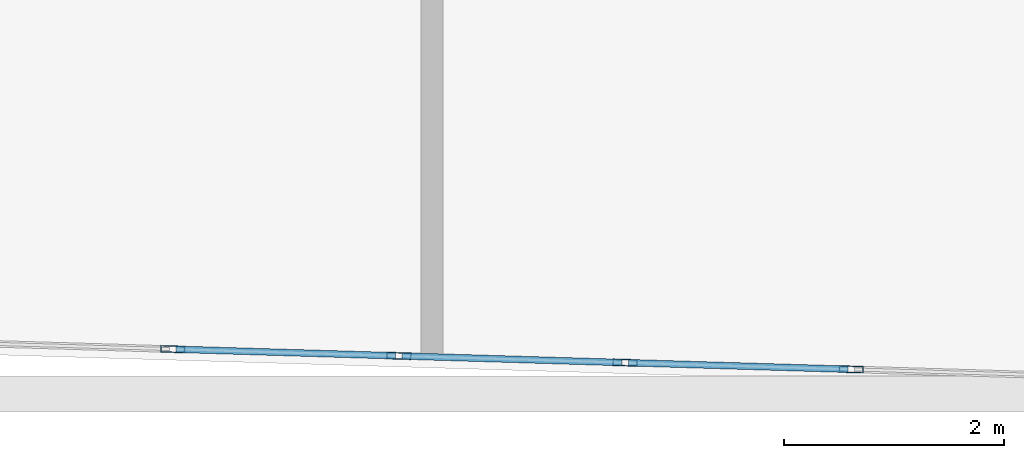
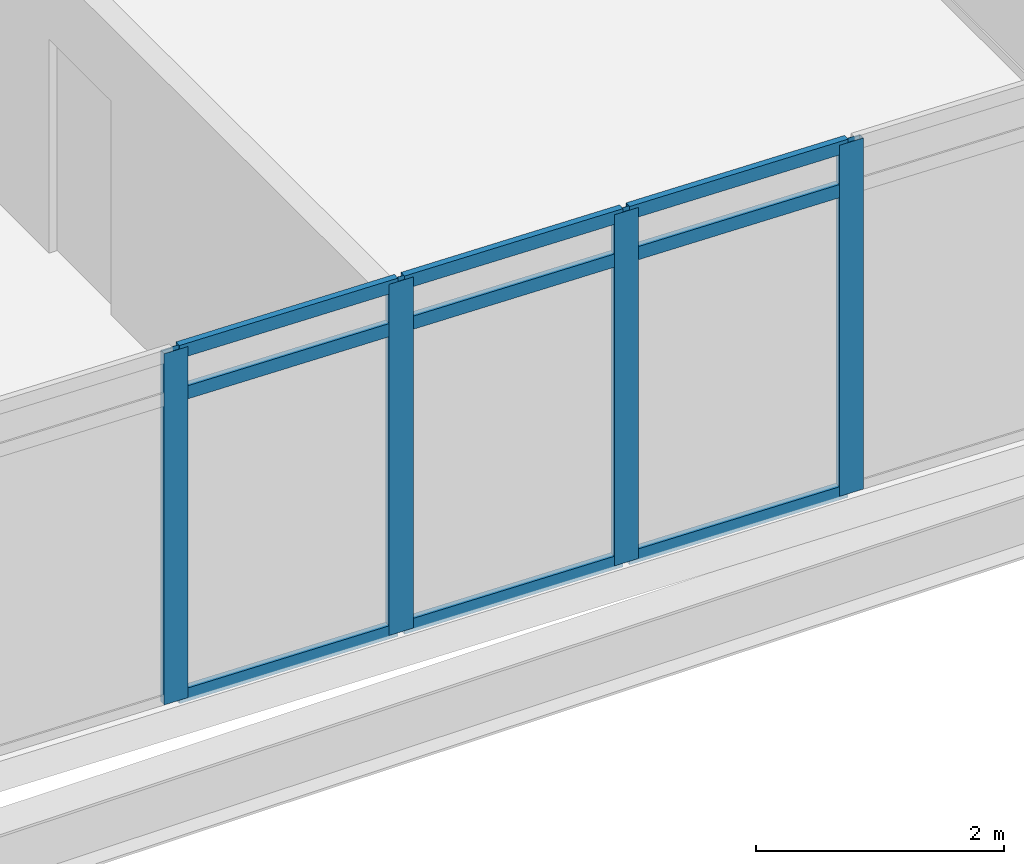
# One storey, part 7 of 28: 13 members, 1 element without a shape of its own.
"""IFC4 building model written with IfcOpenShell, lengths in metres."""

from ifc_helpers import new_model, si_unit, direction, frame, origin, origin_2d, place, context, subcontext, project, spatial, hollow_rectangle, extrude, material, material_profile, profile_set, type_object, element, aggregate, save


model = new_model("IFC4")

# Units and contexts
model_context = context("Model", 3, precision=1e-05, world=origin(), true_north=direction((0.0, 1.0)))
body_context = subcontext(model_context, "Body", "Model", "MODEL_VIEW")
ifc_project = project(units=[si_unit("LENGTHUNIT", "METRE"), si_unit("AREAUNIT", "SQUARE_METRE"), si_unit("VOLUMEUNIT", "CUBIC_METRE"), si_unit("PLANEANGLEUNIT", "RADIAN"), si_unit("MASSUNIT", "GRAM", prefix="KILO")], contexts=[model_context])

# Site, building, storey
site_placement = place(None, origin())
site = spatial("IfcSite", under=ifc_project, at=site_placement, CompositionType="ELEMENT")
building_placement = place(site_placement, origin())
building = spatial("IfcBuilding", under=site, at=building_placement, Name="Ostrander Bayou Hotel Tower", CompositionType="ELEMENT")
storey_placement = place(building_placement, frame((0.0, 0.0, 104.25)))
storey = spatial("IfcBuildingStorey", under=building, at=storey_placement, Name="L26", CompositionType="ELEMENT", Elevation=104.25)

# Curtain wall, members
ifc_material_1 = material(Name="Aluminium and clear glass", Category="aluminium")
curtain_wall_type = type_object("IfcCurtainWallType", Name="CW-BAR glazed wall", PredefinedType="NOTDEFINED", material=ifc_material_1)
curtain_wall_placement = place(storey_placement, origin())
curtain_wall = element("IfcCurtainWall", 1, at=curtain_wall_placement, inside=storey, type_object=curtain_wall_type, Name="CW-BAR L26:SB2S:T", PredefinedType="NOTDEFINED")
ifc_material_2 = material(Name="Aluminium", Category="aluminium")
ifc_material_profile_1 = material_profile(ifc_material_2, hollow_rectangle(XDim=0.06005859375, YDim=0.219970703125, WallThickness=0.00390625, at=origin_2d()))
ifc_profile_set_1 = profile_set([ifc_material_profile_1], Name="Aluminium")
member_type_1 = type_object("IfcMemberType", Name="CW-BR mullion 60 x 220 mm", PredefinedType="MULLION", material=ifc_profile_set_1)
member_1_placement = place(storey_placement, frame((3.084716796875, -31.791748046875, 0.0), z_axis=(0.0, 0.0, 1.0), x_axis=(0.029746242041, 0.999557482631, 0.0)))
member_1 = element("IfcMember", 2, at=member_1_placement, type_object=member_type_1, Name="CW-BAR mullion 9", PredefinedType="MULLION", context=body_context, shape_type="SweptSolid", body=[
    extrude(hollow_rectangle(XDim=0.06005859375, YDim=0.219970703125, WallThickness=0.00390625, at=origin_2d()), origin(), (0.0, 0.0, 1.0), 3.449951171875),
])
member_2_placement = place(storey_placement, frame((5.14111328125, -31.85302734375, 0.0), z_axis=(0.0, 0.0, 1.0), x_axis=(0.029746242041, 0.999557482631, 0.0)))
member_2 = element("IfcMember", 3, at=member_2_placement, type_object=member_type_1, Name="CW-BAR mullion 10", PredefinedType="MULLION", context=body_context, shape_type="SweptSolid", body=[
    extrude(hollow_rectangle(XDim=0.06005859375, YDim=0.219970703125, WallThickness=0.00390625, at=origin_2d()), origin(), (0.0, 0.0, 1.0), 3.449951171875),
])
member_3_placement = place(storey_placement, frame((7.19775390625, -31.914306640625, 0.0), z_axis=(0.0, 0.0, 1.0), x_axis=(0.029746242041, 0.999557482631, 0.0)))
member_3 = element("IfcMember", 4, at=member_3_placement, type_object=member_type_1, Name="CW-BAR mullion 11", PredefinedType="MULLION", context=body_context, shape_type="SweptSolid", body=[
    extrude(hollow_rectangle(XDim=0.06005859375, YDim=0.219970703125, WallThickness=0.00390625, at=origin_2d()), origin(), (0.0, 0.0, 1.0), 3.449951171875),
])
member_4_placement = place(storey_placement, frame((9.254150390625, -31.975341796875, 0.0), z_axis=(0.0, 0.0, 1.0), x_axis=(0.029746242041, 0.999557482631, 0.0)))
member_4 = element("IfcMember", 5, at=member_4_placement, type_object=member_type_1, Name="CW-BAR mullion 12", PredefinedType="MULLION", context=body_context, shape_type="SweptSolid", body=[
    extrude(hollow_rectangle(XDim=0.06005859375, YDim=0.219970703125, WallThickness=0.00390625, at=origin_2d()), origin(), (0.0, 0.0, 1.0), 3.449951171875),
])
ifc_material_3 = material(Name="Aluminium", Category="aluminium")
ifc_material_profile_2 = material_profile(ifc_material_3, hollow_rectangle(XDim=0.06005859375, YDim=0.1298828125, WallThickness=0.00390625, at=origin_2d()))
ifc_profile_set_2 = profile_set([ifc_material_profile_2], Name="Aluminium")
member_type_2 = type_object("IfcMemberType", Name="CW-BR transom 60 x 130 mm", PredefinedType="USERDEFINED", material=ifc_profile_set_2)
member_5_placement = place(storey_placement, frame((3.11474609375, -31.792724609375, 0.030029296875), z_axis=(0.999558835181, -0.029700757758, 0.0), x_axis=(0.029700757758, 0.999558835181, 0.0)))
member_5 = element("IfcMember", 6, at=member_5_placement, type_object=member_type_2, Name="CW-BAR transom 9.1", ObjectType="TRANSOM", PredefinedType="USERDEFINED", context=body_context, shape_type="SweptSolid", body=[
    extrude(hollow_rectangle(XDim=0.06005859375, YDim=0.1298828125, WallThickness=0.00390625, at=origin_2d()), origin(), (0.0, 0.0, 1.0), 1.99755859375),
])
member_6_placement = place(storey_placement, frame((3.11474609375, -31.792724609375, 3.0), z_axis=(0.999558835181, -0.029700757758, 0.0), x_axis=(0.029700757758, 0.999558835181, 0.0)))
member_6 = element("IfcMember", 7, at=member_6_placement, type_object=member_type_2, Name="CW-BAR transom 9.2", ObjectType="TRANSOM", PredefinedType="USERDEFINED", context=body_context, shape_type="SweptSolid", body=[
    extrude(hollow_rectangle(XDim=0.06005859375, YDim=0.1298828125, WallThickness=0.00390625, at=origin_2d()), origin(), (0.0, 0.0, 1.0), 1.99755859375),
])
member_7_placement = place(storey_placement, frame((3.11474609375, -31.792724609375, 3.419921875), z_axis=(0.999558835181, -0.029700757758, 0.0), x_axis=(0.029700757758, 0.999558835181, 0.0)))
member_7 = element("IfcMember", 8, at=member_7_placement, type_object=member_type_2, Name="CW-BAR transom 9.3", ObjectType="TRANSOM", PredefinedType="USERDEFINED", context=body_context, shape_type="SweptSolid", body=[
    extrude(hollow_rectangle(XDim=0.06005859375, YDim=0.1298828125, WallThickness=0.00390625, at=origin_2d()), origin(), (0.0, 0.0, 1.0), 1.99755859375),
])
member_8_placement = place(storey_placement, frame((5.171142578125, -31.85400390625, 0.030029296875), z_axis=(0.999558835181, -0.029700757758, 0.0), x_axis=(0.029700757758, 0.999558835181, 0.0)))
member_8 = element("IfcMember", 9, at=member_8_placement, type_object=member_type_2, Name="CW-BAR transom 10.1", ObjectType="TRANSOM", PredefinedType="USERDEFINED", context=body_context, shape_type="SweptSolid", body=[
    extrude(hollow_rectangle(XDim=0.06005859375, YDim=0.1298828125, WallThickness=0.00390625, at=origin_2d()), origin(), (0.0, 0.0, 1.0), 1.99755859375),
])
member_9_placement = place(storey_placement, frame((5.171142578125, -31.85400390625, 3.0), z_axis=(0.999558835181, -0.029700757758, 0.0), x_axis=(0.029700757758, 0.999558835181, 0.0)))
member_9 = element("IfcMember", 10, at=member_9_placement, type_object=member_type_2, Name="CW-BAR transom 10.2", ObjectType="TRANSOM", PredefinedType="USERDEFINED", context=body_context, shape_type="SweptSolid", body=[
    extrude(hollow_rectangle(XDim=0.06005859375, YDim=0.1298828125, WallThickness=0.00390625, at=origin_2d()), origin(), (0.0, 0.0, 1.0), 1.99755859375),
])
member_10_placement = place(storey_placement, frame((5.171142578125, -31.85400390625, 3.419921875), z_axis=(0.999558835181, -0.029700757758, 0.0), x_axis=(0.029700757758, 0.999558835181, 0.0)))
member_10 = element("IfcMember", 11, at=member_10_placement, type_object=member_type_2, Name="CW-BAR transom 10.3", ObjectType="TRANSOM", PredefinedType="USERDEFINED", context=body_context, shape_type="SweptSolid", body=[
    extrude(hollow_rectangle(XDim=0.06005859375, YDim=0.1298828125, WallThickness=0.00390625, at=origin_2d()), origin(), (0.0, 0.0, 1.0), 1.99755859375),
])
member_11_placement = place(storey_placement, frame((7.227783203125, -31.9150390625, 0.030029296875), z_axis=(0.999555090424, -0.029826518535, 0.0), x_axis=(0.029826518535, 0.999555090424, 0.0)))
member_11 = element("IfcMember", 12, at=member_11_placement, type_object=member_type_2, Name="CW-BAR transom 11.1", ObjectType="TRANSOM", PredefinedType="USERDEFINED", context=body_context, shape_type="SweptSolid", body=[
    extrude(hollow_rectangle(XDim=0.06005859375, YDim=0.1298828125, WallThickness=0.00390625, at=origin_2d()), origin(), (0.0, 0.0, 1.0), 1.997314453125),
])
member_12_placement = place(storey_placement, frame((7.227783203125, -31.9150390625, 3.0), z_axis=(0.999555090424, -0.029826518535, 0.0), x_axis=(0.029826518535, 0.999555090424, 0.0)))
member_12 = element("IfcMember", 13, at=member_12_placement, type_object=member_type_2, Name="CW-BAR transom 11.2", ObjectType="TRANSOM", PredefinedType="USERDEFINED", context=body_context, shape_type="SweptSolid", body=[
    extrude(hollow_rectangle(XDim=0.06005859375, YDim=0.1298828125, WallThickness=0.00390625, at=origin_2d()), origin(), (0.0, 0.0, 1.0), 1.997314453125),
])
member_13_placement = place(storey_placement, frame((7.227783203125, -31.9150390625, 3.419921875), z_axis=(0.999555090424, -0.029826518535, 0.0), x_axis=(0.029826518535, 0.999555090424, 0.0)))
member_13 = element("IfcMember", 14, at=member_13_placement, type_object=member_type_2, Name="CW-BAR transom 11.3", ObjectType="TRANSOM", PredefinedType="USERDEFINED", context=body_context, shape_type="SweptSolid", body=[
    extrude(hollow_rectangle(XDim=0.06005859375, YDim=0.1298828125, WallThickness=0.00390625, at=origin_2d()), origin(), (0.0, 0.0, 1.0), 1.997314453125),
])
aggregate(curtain_wall, [member_1, member_2, member_3, member_4, member_5, member_6, member_7, member_8, member_9, member_10, member_11, member_12, member_13])

save(model, "model.ifc")
